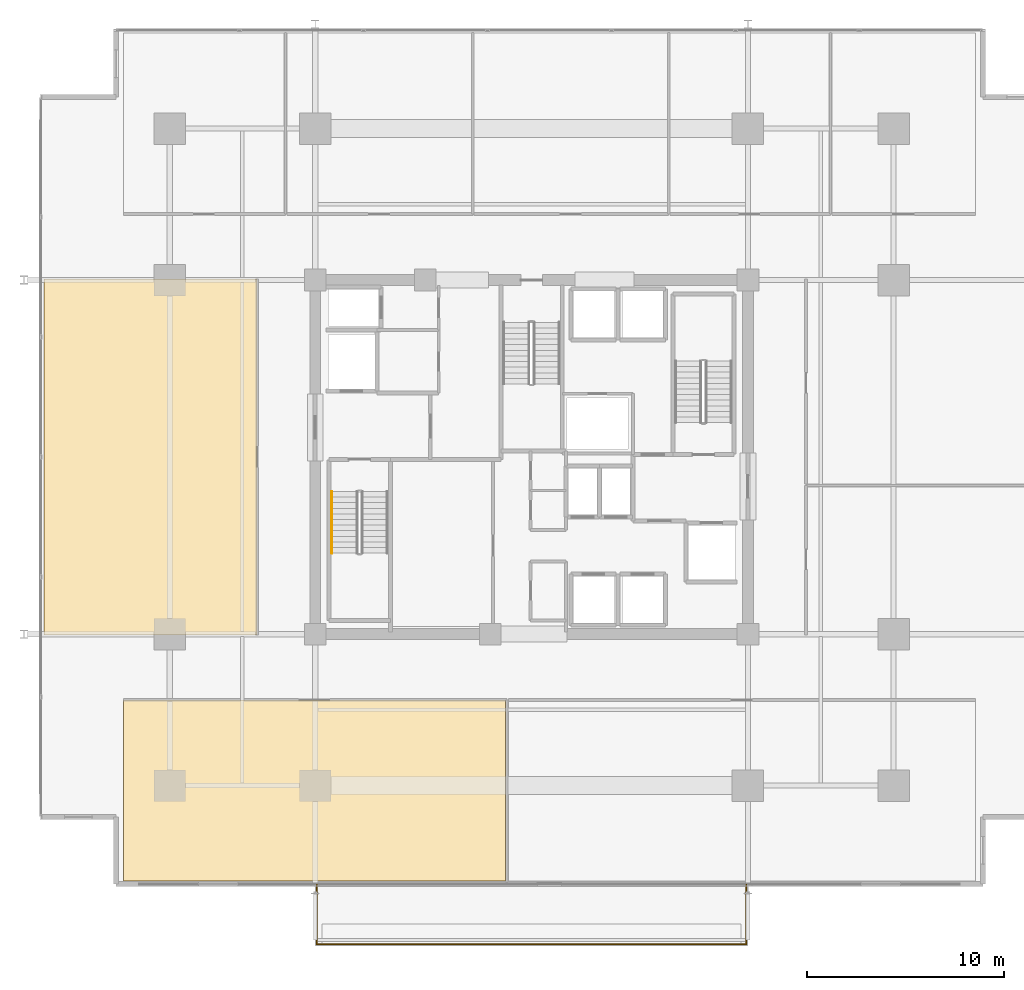
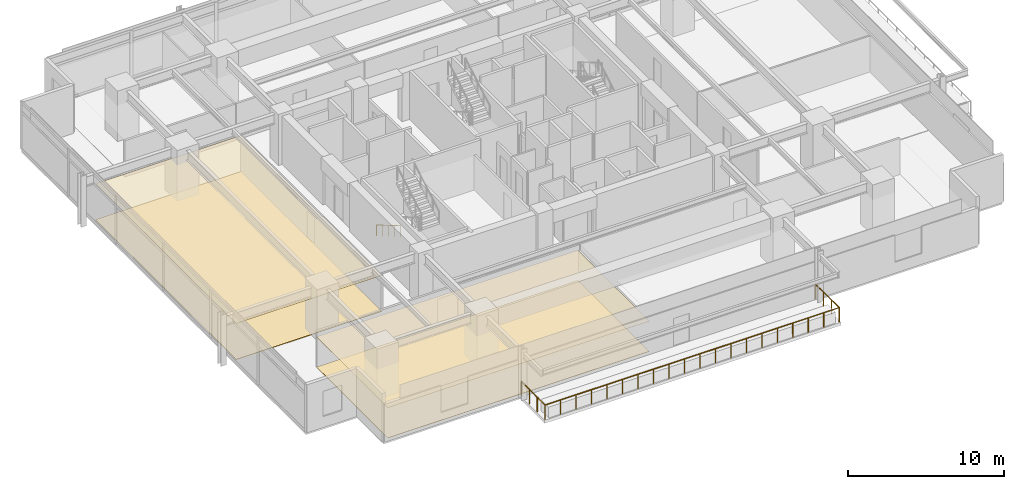
# One storey, part 17 of 21: 4 coverings, 2 railings.
"""IFC4 building model written with IfcOpenShell, lengths in metres."""

from ifc_helpers import new_model, si_unit, direction, frame, origin, origin_2d, place, context, subcontext, project, spatial, polyline, circle, outline, extrude, material, layer, layer_set, type_object, element, save


model = new_model("IFC4")

# Units and contexts
model_context = context("Model", 3, precision=1e-05, world=origin(), true_north=direction((0.0, 1.0)))
body_context = subcontext(model_context, "Body", "Model", "MODEL_VIEW")
ifc_project = project(units=[si_unit("LENGTHUNIT", "METRE"), si_unit("AREAUNIT", "SQUARE_METRE"), si_unit("VOLUMEUNIT", "CUBIC_METRE"), si_unit("PLANEANGLEUNIT", "RADIAN"), si_unit("MASSUNIT", "GRAM", prefix="KILO")], contexts=[model_context])

# Site, building, storey
site_placement = place(None, origin())
site = spatial("IfcSite", under=ifc_project, at=site_placement, CompositionType="ELEMENT")
building_placement = place(site_placement, origin())
building = spatial("IfcBuilding", under=site, at=building_placement, Name="Kovane Verandah Tower", CompositionType="ELEMENT")
storey_placement = place(building_placement, frame((0.0, 0.0, 176.39990234375)))
storey = spatial("IfcBuildingStorey", under=building, at=storey_placement, Name="L41", CompositionType="ELEMENT", Elevation=176.39990234375)

# Coverings
ifc_material_1 = material(Name="Perforated Acoustic Mineral-Fibre Ceiling Tile", Category="gypsum")
ifc_layer_1 = layer(ifc_material_1, 0.02490234375)
ifc_layer_set_1 = layer_set([ifc_layer_1], Name="Perforated Acoustic Mineral-Fibre Ceiling Tile")
covering_type_1 = type_object("IfcCoveringType", Name="CV-CEIL-25", PredefinedType="CEILING", material=ifc_layer_set_1)
covering_1_placement = place(storey_placement, frame((0.0, 0.0, 2.380126953125)))
element("IfcCovering", 1, at=covering_1_placement, inside=storey, type_object=covering_type_1, Name="L41 Client Boardroom S1 Acoustic Ceiling", PredefinedType="CEILING", context=body_context, shape_type="SweptSolid", body=[
    extrude(outline(polyline([(19.264404296875, 5.955078125), (38.67529296875, 5.955078125), (38.67529296875, 15.14990234375), (19.264404296875, 15.14990234375), (19.264404296875, 5.955078125)])), origin(), (0.0, 0.0, 1.0), 0.02490234375),
])
covering_2_placement = place(storey_placement, frame((0.0, 0.0, 2.8251953125)))
element("IfcCovering", 2, at=covering_2_placement, inside=storey, type_object=covering_type_1, Name="L41 Focus Studio W1 Acoustic Ceiling", PredefinedType="CEILING", context=body_context, shape_type="SweptSolid", body=[
    extrude(outline(polyline([(15.21435546875, 18.449951171875), (26.050048828125, 18.449951171875), (26.050048828125, 36.550048828125), (15.21435546875, 36.550048828125), (15.21435546875, 18.449951171875)])), origin(), (0.0, 0.0, 1.0), 0.02490234375),
])
ifc_material_2 = material(Name="Polished Terrazzo and Raised-Access Carpet Tile Finish", Category="concrete")
ifc_layer_2 = layer(ifc_material_2, 0.030029296875)
ifc_layer_set_2 = layer_set([ifc_layer_2], Name="Polished Terrazzo and Raised-Access Carpet Tile Finish")
covering_type_2 = type_object("IfcCoveringType", Name="CV-FLOR-30", PredefinedType="FLOORING", material=ifc_layer_set_2)
covering_3_placement = place(storey_placement, origin())
element("IfcCovering", 3, at=covering_3_placement, inside=storey, type_object=covering_type_2, Name="L41 Client Boardroom S1 Floor Finish", PredefinedType="FLOORING", context=body_context, shape_type="SweptSolid", body=[
    extrude(outline(polyline([(19.264404296875, 5.955078125), (38.67529296875, 5.955078125), (38.67529296875, 15.14990234375), (19.264404296875, 15.14990234375), (19.264404296875, 5.955078125)])), origin(), (0.0, 0.0, 1.0), 0.030029296875),
])
covering_4_placement = place(storey_placement, origin())
element("IfcCovering", 4, at=covering_4_placement, inside=storey, type_object=covering_type_2, Name="L41 Focus Studio W1 Floor Finish", PredefinedType="FLOORING", context=body_context, shape_type="SweptSolid", body=[
    extrude(outline(polyline([(15.21435546875, 18.449951171875), (26.050048828125, 18.449951171875), (26.050048828125, 36.550048828125), (15.21435546875, 36.550048828125), (15.21435546875, 18.449951171875)])), origin(), (0.0, 0.0, 1.0), 0.030029296875),
])

# Railings
ifc_material_3 = material(Name="Laminated Glass and Pale-Champagne Stainless Balustrade", Category="glass")
railing_type_1 = type_object("IfcRailingType", Name="RL-BAL-1150", PredefinedType="BALUSTRADE", material=ifc_material_3)
railing_1_placement = place(storey_placement, frame((29.080078125, 5.7548828125, 0.0)))
element("IfcRailing", 5, at=railing_1_placement, inside=storey, type_object=railing_type_1, Name="L41 S Verandah Glass Balustrade", PredefinedType="BALUSTRADE", context=body_context, shape_type="SweptSolid", body=[
    extrude(circle(Radius=0.02392578125, at=origin_2d()), frame((0.0, 0.0, 1.1259765625), z_axis=(0.0, -1.0, 0.0), x_axis=(1.0, 0.0, 0.0)), (0.0, 0.0, 1.0), 3.019775390625),
    extrude(circle(Radius=0.02392578125, at=origin_2d()), frame((0.0, -3.019775390625, 1.1259765625), z_axis=(1.0, 0.0, 0.0), x_axis=(0.0, 1.0, 0.0)), (0.0, 0.0, 1.0), 21.83984375),
    extrude(circle(Radius=0.02392578125, at=origin_2d()), frame((21.83984375, -3.019775390625, 1.1259765625), z_axis=(0.0, 1.0, 0.0), x_axis=(-1.0, 0.0, 0.0)), (0.0, 0.0, 1.0), 3.019775390625),
    extrude(circle(Radius=0.02099609375, at=origin_2d()), origin(), (0.0, 0.0, 1.0), 1.101806640625),
    extrude(circle(Radius=0.02099609375, at=origin_2d()), frame((0.0, -1.006591796875, 0.0)), (0.0, 0.0, 1.0), 1.101806640625),
    extrude(circle(Radius=0.02099609375, at=origin_2d()), frame((0.0, -2.01318359375, 0.0)), (0.0, 0.0, 1.0), 1.101806640625),
    extrude(circle(Radius=0.02099609375, at=origin_2d()), frame((0.0, -3.019775390625, 0.0)), (0.0, 0.0, 1.0), 1.101806640625),
    extrude(circle(Radius=0.02099609375, at=origin_2d()), frame((1.1494140625, -3.019775390625, 0.0)), (0.0, 0.0, 1.0), 1.101806640625),
    extrude(circle(Radius=0.02099609375, at=origin_2d()), frame((2.298828125, -3.019775390625, 0.0)), (0.0, 0.0, 1.0), 1.101806640625),
    extrude(circle(Radius=0.02099609375, at=origin_2d()), frame((3.448486328125, -3.019775390625, 0.0)), (0.0, 0.0, 1.0), 1.101806640625),
    extrude(circle(Radius=0.02099609375, at=origin_2d()), frame((4.597900390625, -3.019775390625, 0.0)), (0.0, 0.0, 1.0), 1.101806640625),
    extrude(circle(Radius=0.02099609375, at=origin_2d()), frame((5.747314453125, -3.019775390625, 0.0)), (0.0, 0.0, 1.0), 1.101806640625),
    extrude(circle(Radius=0.02099609375, at=origin_2d()), frame((6.896728515625, -3.019775390625, 0.0)), (0.0, 0.0, 1.0), 1.101806640625),
    extrude(circle(Radius=0.02099609375, at=origin_2d()), frame((8.046142578125, -3.019775390625, 0.0)), (0.0, 0.0, 1.0), 1.101806640625),
    extrude(circle(Radius=0.02099609375, at=origin_2d()), frame((9.19580078125, -3.019775390625, 0.0)), (0.0, 0.0, 1.0), 1.101806640625),
    extrude(circle(Radius=0.02099609375, at=origin_2d()), frame((10.34521484375, -3.019775390625, 0.0)), (0.0, 0.0, 1.0), 1.101806640625),
    extrude(circle(Radius=0.02099609375, at=origin_2d()), frame((11.49462890625, -3.019775390625, 0.0)), (0.0, 0.0, 1.0), 1.101806640625),
    extrude(circle(Radius=0.02099609375, at=origin_2d()), frame((12.64404296875, -3.019775390625, 0.0)), (0.0, 0.0, 1.0), 1.101806640625),
    extrude(circle(Radius=0.02099609375, at=origin_2d()), frame((13.793701171875, -3.019775390625, 0.0)), (0.0, 0.0, 1.0), 1.101806640625),
    extrude(circle(Radius=0.02099609375, at=origin_2d()), frame((14.943115234375, -3.019775390625, 0.0)), (0.0, 0.0, 1.0), 1.101806640625),
    extrude(circle(Radius=0.02099609375, at=origin_2d()), frame((16.092529296875, -3.019775390625, 0.0)), (0.0, 0.0, 1.0), 1.101806640625),
    extrude(circle(Radius=0.02099609375, at=origin_2d()), frame((17.241943359375, -3.019775390625, 0.0)), (0.0, 0.0, 1.0), 1.101806640625),
    extrude(circle(Radius=0.02099609375, at=origin_2d()), frame((18.391357421875, -3.019775390625, 0.0)), (0.0, 0.0, 1.0), 1.101806640625),
    extrude(circle(Radius=0.02099609375, at=origin_2d()), frame((19.541015625, -3.019775390625, 0.0)), (0.0, 0.0, 1.0), 1.101806640625),
    extrude(circle(Radius=0.02099609375, at=origin_2d()), frame((20.6904296875, -3.019775390625, 0.0)), (0.0, 0.0, 1.0), 1.101806640625),
    extrude(circle(Radius=0.02099609375, at=origin_2d()), frame((21.83984375, -3.019775390625, 0.0)), (0.0, 0.0, 1.0), 1.101806640625),
    extrude(circle(Radius=0.02099609375, at=origin_2d()), frame((21.83984375, -2.01318359375, 0.0)), (0.0, 0.0, 1.0), 1.101806640625),
    extrude(circle(Radius=0.02099609375, at=origin_2d()), frame((21.83984375, -1.006591796875, 0.0)), (0.0, 0.0, 1.0), 1.101806640625),
    extrude(circle(Radius=0.02099609375, at=origin_2d()), frame((21.83984375, 0.0, 0.0)), (0.0, 0.0, 1.0), 1.101806640625),
])
ifc_material_4 = material(Name="Brushed Stainless Steel Handrail", Category="steel")
railing_type_2 = type_object("IfcRailingType", Name="RL-HAND-920", PredefinedType="HANDRAIL", material=ifc_material_4)
railing_2_placement = place(storey_placement, frame((29.85009765625, 25.75, 0.166748046875)))
element("IfcRailing", 6, at=railing_2_placement, inside=storey, type_object=railing_type_2, Name="L41 ST-01 stair handrail 1", PredefinedType="HANDRAIL", context=body_context, shape_type="SweptSolid", body=[
    extrude(circle(Radius=0.02392578125, at=origin_2d()), frame((0.0, 0.0, 0.8759765625), z_axis=(0.0, -0.863239559939, 0.504794475164), x_axis=(1.0, 0.0, 0.0)), (0.0, 0.0, 1.0), 3.631591796875),
    extrude(circle(Radius=0.02099609375, at=origin_2d()), origin(), (0.0, 0.0, 1.0), 0.851806640625),
    extrude(circle(Radius=0.02099609375, at=origin_2d()), frame((0.0, -0.78369140625, 0.458251953125)), (0.0, 0.0, 1.0), 0.851806640625),
    extrude(circle(Radius=0.02099609375, at=origin_2d()), frame((0.0, -1.5673828125, 0.91650390625)), (0.0, 0.0, 1.0), 0.851806640625),
    extrude(circle(Radius=0.02099609375, at=origin_2d()), frame((0.0, -2.351318359375, 1.375)), (0.0, 0.0, 1.0), 0.851806640625),
    extrude(circle(Radius=0.02099609375, at=origin_2d()), frame((0.0, -3.135009765625, 1.833251953125)), (0.0, 0.0, 1.0), 0.851806640625),
])

save(model, "model.ifc")
